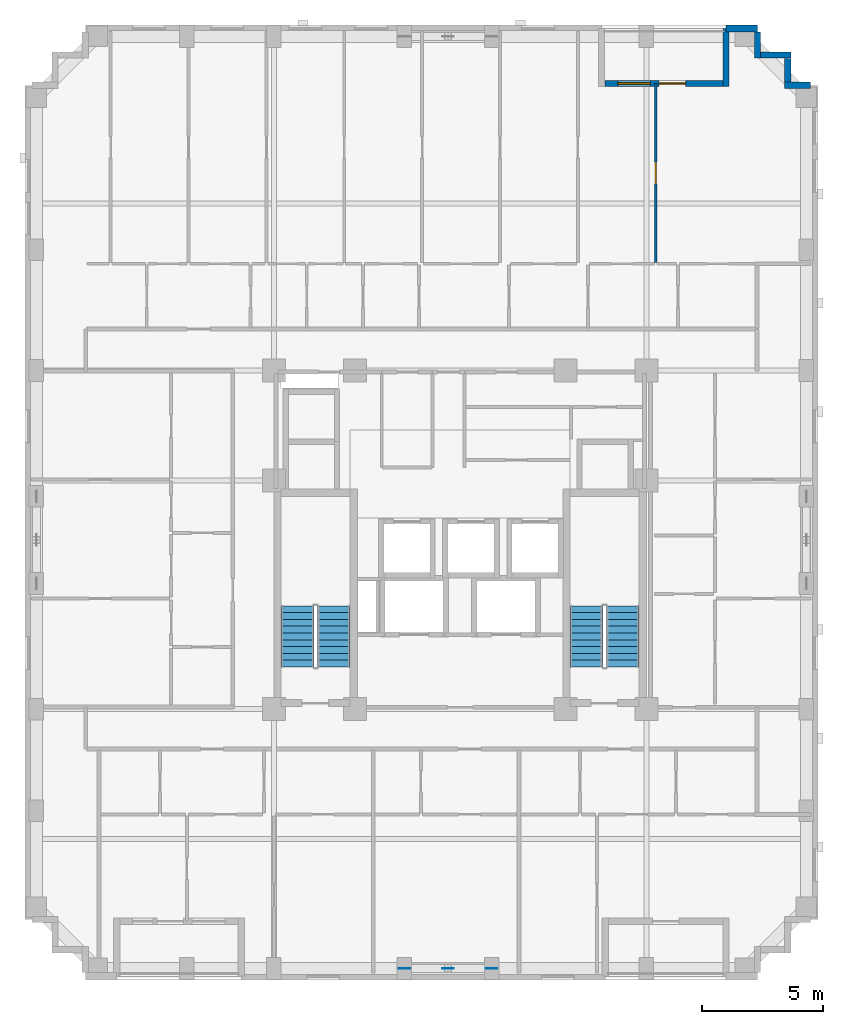
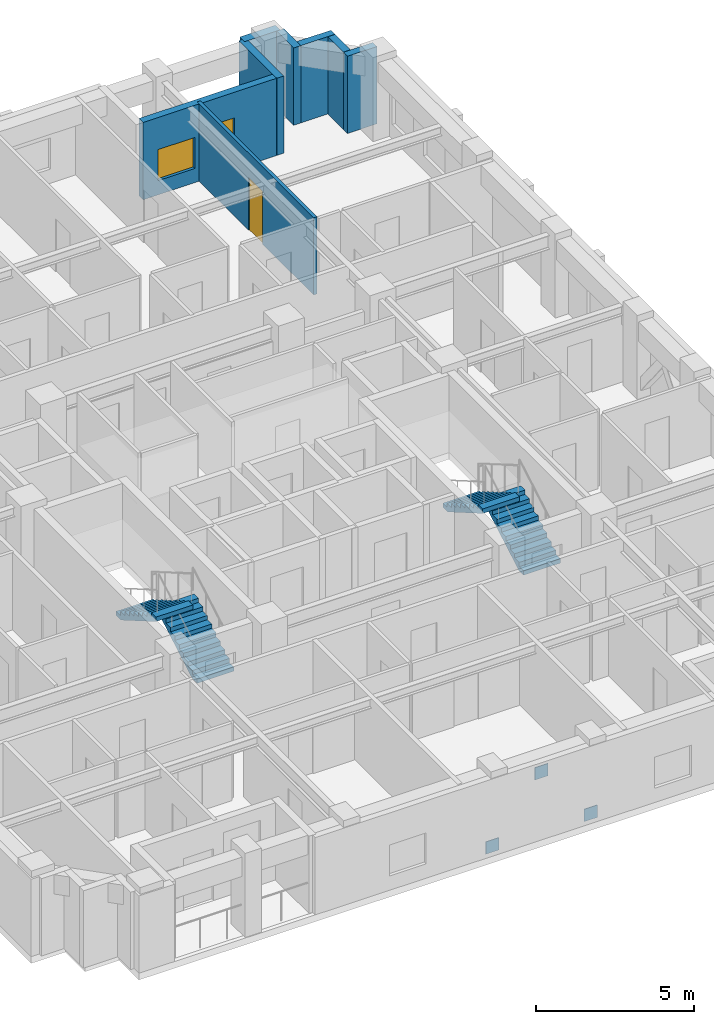
# One storey, part 8 of 11: 8 walls, 4 stair flights, 3 discrete accessories, 2 doors, 1 window, 3 openings, 2 elements without a shape of their own.
"""IFC4 building model written with IfcOpenShell, lengths in metres."""

from ifc_helpers import new_model, si_unit, derived_unit, direction, frame, frame_2d, origin, origin_2d, place, context, subcontext, project, spatial, polyline, rectangle, outline, extrude, material, layer, layer_set, type_object, element, fill, aggregate, save


model = new_model("IFC4")

# Units and contexts
model_context = context("Model", 3, precision=1e-05, world=origin(), true_north=direction((0.0, 1.0)))
body_context = subcontext(model_context, "Body", "Model", "MODEL_VIEW")
ifc_project = project(units=[si_unit("LENGTHUNIT", "METRE"), si_unit("AREAUNIT", "SQUARE_METRE"), si_unit("VOLUMEUNIT", "CUBIC_METRE"), si_unit("PLANEANGLEUNIT", "RADIAN"), si_unit("MASSUNIT", "GRAM", prefix="KILO"), derived_unit("THERMALTRANSMITTANCEUNIT", [(si_unit("MASSUNIT", "GRAM", prefix="KILO"), 1), (si_unit("TIMEUNIT", "SECOND"), -3), (si_unit("THERMODYNAMICTEMPERATUREUNIT", "KELVIN"), -1)])], contexts=[model_context])

# Site, building, storey
site_placement = place(None, origin())
site = spatial("IfcSite", under=ifc_project, at=site_placement, CompositionType="ELEMENT")
building_placement = place(site_placement, origin())
building = spatial("IfcBuilding", under=site, at=building_placement, Name="Korrvale Station Residences", CompositionType="ELEMENT")
storey_placement = place(building_placement, frame((0.0, 0.0, 160.14990234375)))
storey = spatial("IfcBuildingStorey", under=building, at=storey_placement, Name="L46", CompositionType="ELEMENT", Elevation=160.14990234375)

# Wall, openings, door, window
ifc_material_1 = material(Name="Precast concrete C45/55", Category="concrete")
ifc_layer_1 = layer(ifc_material_1, 0.260009765625, Name="Precast concrete C45/55")
ifc_layer_set_1 = layer_set([ifc_layer_1], Name="Precast concrete C45/55")
wall_type_1 = type_object("IfcWallType", Name="WAL-EXT-LOG260", PredefinedType="SOLIDWALL", material=ifc_layer_set_1)
wall_1_placement = place(storey_placement, frame((31.48388671875, 40.8701171875, 0.0), z_axis=(0.0, 0.0, 1.0), x_axis=(1.0, 0.0, 0.0)))
wall_1 = element("IfcWall", 1, at=wall_1_placement, inside=storey, type_object=wall_type_1, Name="L46 Recessed Loggia Wall BAL-L46-N1-B", PredefinedType="SOLIDWALL", context=body_context, shape_type="SweptSolid", body=[
    extrude(rectangle(XDim=4.882080078125, YDim=0.260009765625, at=frame_2d((2.44091796875, 0.0))), origin(), (0.0, 0.0, 1.0), 2.989990234375),
])
opening_1_placement = place(wall_1_placement, frame((2.24609375, 0.0, 0.0)))
opening_1 = element("IfcOpeningElement", 2, at=opening_1_placement, cuts=wall_1, Name="Opening BD-01", PredefinedType="OPENING", context=body_context, shape_type="SweptSolid", body=[
    extrude(rectangle(XDim=1.10009765625, YDim=2.0, at=frame_2d((0.550048828125, 1.0))), frame((0.0, 0.14013671875, 0.0), z_axis=(0.0, -1.0, 0.0), x_axis=(1.0, 0.0, 0.0)), (0.0, 0.0, 1.0), 0.280029296875),
])
opening_2_placement = place(wall_1_placement, frame((0.535888671875, 0.0, 0.550048828125)))
opening_2 = element("IfcOpeningElement", 3, at=opening_2_placement, cuts=wall_1, Name="Opening W-10", PredefinedType="OPENING", context=body_context, shape_type="SweptSolid", body=[
    extrude(rectangle(XDim=1.35009765625, YDim=1.199951171875, at=frame_2d((0.675048828125, 0.60009765625))), frame((0.0, 0.14013671875, 0.0), z_axis=(0.0, -1.0, 0.0), x_axis=(1.0, 0.0, 0.0)), (0.0, 0.0, 1.0), 0.280029296875),
])
ifc_material_2 = material(Name="Exterior thermally broken aluminium glazed balcony door", Category="aluminium")
door_type_1 = type_object("IfcDoorType", Name="DR-EXT-BAL", OperationType="NOTDEFINED", PredefinedType="DOOR", material=ifc_material_2)
door_1_placement = place(opening_1_placement, origin())
door_1 = element("IfcDoor", 4, at=door_1_placement, inside=storey, type_object=door_type_1, Name="L46 Loggia Balcony Door BAL-L46-N1", OperationType="SINGLE_SWING_LEFT", OverallHeight=2.0, OverallWidth=1.10009765625, PredefinedType="DOOR", context=body_context, shape_type="SweptSolid", body=[
    extrude(rectangle(XDim=1.10009765625, YDim=2.0, at=frame_2d((0.550048828125, 1.0))), frame((0.0, 0.02490234375, 0.0), z_axis=(0.0, -1.0, 0.0), x_axis=(1.0, 0.0, 0.0)), (0.0, 0.0, 1.0), 0.050048828125),
])
fill(opening_1, door_1)
ifc_material_3 = material(Name="Thermally broken aluminium frame with triple low-e glazing", Category="aluminium")
window_type = type_object("IfcWindowType", Name="WIN-W10", PartitioningType="SINGLE_PANEL", PredefinedType="WINDOW", material=ifc_material_3)
window_placement = place(opening_2_placement, origin())
window = element("IfcWindow", 5, at=window_placement, inside=storey, type_object=window_type, Name="L46 Punched Window 13", OverallHeight=1.199951171875, OverallWidth=1.35009765625, PartitioningType="SINGLE_PANEL", PredefinedType="WINDOW", context=body_context, shape_type="SweptSolid", body=[
    extrude(rectangle(XDim=1.35009765625, YDim=1.199951171875, at=frame_2d((0.675048828125, 0.60009765625))), frame((0.0, 0.030029296875, 0.0), z_axis=(0.0, -1.0, 0.0), x_axis=(1.0, 0.0, 0.0)), (0.0, 0.0, 1.0), 0.06005859375),
])
fill(opening_2, window)

# Walls
wall_2_placement = place(storey_placement, frame((36.5, 40.739990234375, 0.0), z_axis=(0.0, 0.0, 1.0), x_axis=(0.0, 1.0, 0.0)))
element("IfcWall", 6, at=wall_2_placement, inside=storey, type_object=wall_type_1, Name="L46 Recessed Loggia Wall BAL-L46-N1-R", PredefinedType="SOLIDWALL", context=body_context, shape_type="SweptSolid", body=[
    extrude(rectangle(XDim=2.39990234375, YDim=0.260009765625, at=frame_2d((1.199951171875, 0.0))), origin(), (0.0, 0.0, 1.0), 2.989990234375),
])
wall_3_placement = place(storey_placement, frame((37.800048828125, 42.998046875, 0.0), z_axis=(0.0, 0.0, 1.0), x_axis=(0.0, -1.0, 0.0)))
element("IfcWall", 7, at=wall_3_placement, inside=storey, type_object=wall_type_1, Name="L46 Serrated Corner Precast Step NE-1", PredefinedType="SOLIDWALL", context=body_context, shape_type="SweptSolid", body=[
    extrude(rectangle(XDim=1.078125, YDim=0.260009765625, at=frame_2d((0.5390625, 0.0))), origin(), (0.0, 0.0, 1.0), 2.989990234375),
])
wall_4_placement = place(storey_placement, frame((37.931884765625, 42.050048828125, 0.0), z_axis=(0.0, 0.0, 1.0), x_axis=(1.0, 0.0, 0.0)))
element("IfcWall", 8, at=wall_4_placement, inside=storey, type_object=wall_type_1, Name="L46 Serrated Corner Precast Step NE-2", PredefinedType="SOLIDWALL", context=body_context, shape_type="SweptSolid", body=[
    extrude(rectangle(XDim=1.248046875, YDim=0.260009765625, at=frame_2d((0.6240234375, 0.0))), origin(), (0.0, 0.0, 1.0), 2.989990234375),
])
wall_5_placement = place(storey_placement, frame((39.050048828125, 41.91796875, 0.0), z_axis=(0.0, 0.0, 1.0), x_axis=(0.0, -1.0, 0.0)))
element("IfcWall", 9, at=wall_5_placement, inside=storey, type_object=wall_type_1, Name="L46 Serrated Corner Precast Step NE-3", PredefinedType="SOLIDWALL", context=body_context, shape_type="SweptSolid", body=[
    extrude(rectangle(XDim=0.986083984375, YDim=0.260009765625, at=frame_2d((0.4931640625, 0.0))), origin(), (0.0, 0.0, 1.0), 2.989990234375),
])
wall_6_placement = place(storey_placement, frame((38.919921875, 40.800048828125, 0.0), z_axis=(0.0, 0.0, 1.0), x_axis=(1.0, 0.0, 0.0)))
element("IfcWall", 10, at=wall_6_placement, inside=storey, type_object=wall_type_1, Name="L46 Serrated Corner Precast Step NE-4", PredefinedType="SOLIDWALL", context=body_context, shape_type="SweptSolid", body=[
    extrude(rectangle(XDim=1.078125, YDim=0.260009765625, at=frame_2d((0.5390625, 0.0))), origin(), (0.0, 0.0, 1.0), 2.989990234375),
])
ifc_layer_2 = layer(ifc_material_1, 0.300048828125, Name="Precast concrete C45/55")
ifc_layer_set_2 = layer_set([ifc_layer_2], Name="Precast concrete C45/55")
wall_type_2 = type_object("IfcWallType", Name="WAL-EXT-PC300", PredefinedType="SOLIDWALL", material=ifc_layer_set_2)
wall_7_placement = place(storey_placement, frame((36.5, 43.14990234375, 0.0), z_axis=(0.0, 0.0, 1.0), x_axis=(1.0, 0.0, 0.0)))
element("IfcWall", 11, at=wall_7_placement, inside=storey, type_object=wall_type_2, Name="L46 North Exterior Precast Wall 2", PredefinedType="SOLIDWALL", context=body_context, shape_type="SweptSolid", body=[
    extrude(rectangle(XDim=1.300048828125, YDim=0.300048828125, at=frame_2d((0.64990234375, 0.0))), origin(), (0.0, 0.0, 1.0), 2.989990234375),
])

# Wall, opening, door
ifc_material_4 = material(Name="Acoustic steel-stud gypsum board partition", Category="steel")
ifc_layer_3 = layer(ifc_material_4, 0.1201171875, Name="Acoustic steel-stud gypsum board partition")
ifc_layer_set_3 = layer_set([ifc_layer_3], Name="Acoustic steel-stud gypsum board partition")
wall_type_3 = type_object("IfcWallType", Name="WAL-PART-125", PredefinedType="PARTITIONING", material=ifc_layer_set_3)
wall_8_placement = place(storey_placement, frame((33.590087890625, 33.47998046875, 0.0), z_axis=(0.0, 0.0, 1.0), x_axis=(0.0, 1.0, 0.0)))
wall_8 = element("IfcWall", 12, at=wall_8_placement, inside=storey, type_object=wall_type_3, Name="L46 Suite Partition U04-V1617", PredefinedType="PARTITIONING", context=body_context, shape_type="SweptSolid", body=[
    extrude(rectangle(XDim=7.39013671875, YDim=0.1201171875, at=frame_2d((3.695068359375, 0.0))), origin(), (0.0, 0.0, 1.0), 2.989990234375),
])
opening_3_placement = place(wall_8_placement, frame((3.2451171875, 0.0, 0.0)))
opening_3 = element("IfcOpeningElement", 13, at=opening_3_placement, cuts=wall_8, Name="Opening DI-900", PredefinedType="OPENING", context=body_context, shape_type="SweptSolid", body=[
    extrude(rectangle(XDim=0.89990234375, YDim=2.050048828125, at=frame_2d((0.449951171875, 1.02490234375))), frame((0.0, 0.070068359375, 0.0), z_axis=(0.0, -1.0, 0.0), x_axis=(1.0, 0.0, 0.0)), (0.0, 0.0, 1.0), 0.14013671875),
])
ifc_material_5 = material(Name="Painted solid-core timber interior room door", Category="wood")
door_type_2 = type_object("IfcDoorType", Name="DR-INT-900", OperationType="NOTDEFINED", PredefinedType="DOOR", material=ifc_material_5)
door_2_placement = place(opening_3_placement, origin())
door_2 = element("IfcDoor", 14, at=door_2_placement, inside=storey, type_object=door_type_2, Name="L46 Studio Apartment L46-U04 Formal Dining Room Door", OperationType="SINGLE_SWING_RIGHT", OverallHeight=2.050048828125, OverallWidth=0.89990234375, PredefinedType="DOOR", context=body_context, shape_type="SweptSolid", body=[
    extrude(rectangle(XDim=0.89990234375, YDim=2.050048828125, at=frame_2d((0.449951171875, 1.02490234375))), frame((0.0, 0.02490234375, 0.0), z_axis=(0.0, -1.0, 0.0), x_axis=(1.0, 0.0, 0.0)), (0.0, 0.0, 1.0), 0.050048828125),
])
fill(opening_3, door_2)

# Stair, stair flights
ifc_material_6 = material(Name="Concrete C50/60", Category="concrete")
stair_type = type_object("IfcStairType", Name="STR-DL-1350-20R-1625", PredefinedType="HALF_TURN_STAIR", material=ifc_material_6)
stair_1_placement = place(storey_placement, origin())
stair_1 = element("IfcStair", 15, at=stair_1_placement, inside=storey, type_object=stair_type, Name="L46 Exit Stair 1", PredefinedType="HALF_TURN_STAIR")
stair_flight_type = type_object("IfcStairFlightType", Name="FLT-DL-1350-20R-1625", PredefinedType="STRAIGHT", material=ifc_material_6)
stair_flight_1_placement = place(storey_placement, frame((20.27490234375, 16.75, 0.0), z_axis=(0.0, 0.0, 1.0), x_axis=(0.0, 1.0, 0.0)))
stair_flight_1 = element("IfcStairFlight", 16, at=stair_flight_1_placement, type_object=stair_flight_type, Name="ST-1 flight 1", NumberOfRisers=10, NumberOfTreads=9, PredefinedType="STRAIGHT", RiserHeight=0.1625, TreadLength=0.28, context=body_context, shape_type="SweptSolid", body=[
    extrude(outline(polyline([(0.0, 0.0), (0.0, 0.16259765625), (0.280029296875, 0.16259765625), (0.280029296875, 0.324951171875), (0.56005859375, 0.324951171875), (0.56005859375, 0.487548828125), (0.840087890625, 0.487548828125), (0.840087890625, 0.64990234375), (1.1201171875, 0.64990234375), (1.1201171875, 0.8125), (1.39990234375, 0.8125), (1.39990234375, 0.97509765625), (1.679931640625, 0.97509765625), (1.679931640625, 1.137451171875), (1.9599609375, 1.137451171875), (1.9599609375, 1.300048828125), (2.239990234375, 1.300048828125), (2.239990234375, 1.46240234375), (2.52001953125, 1.46240234375), (2.52001953125, 1.625), (2.52001953125, 1.2890625), (0.298583984375, 0.0), (0.0, 0.0)])), frame((0.0, 0.675048828125, 0.0), z_axis=(0.0, -1.0, 0.0), x_axis=(1.0, 0.0, 0.0)), (0.0, 0.0, 1.0), 1.35009765625),
])
stair_flight_2_placement = place(storey_placement, frame((18.77490234375, 19.27001953125, 1.625), z_axis=(0.0, 0.0, 1.0), x_axis=(0.0, -1.0, 0.0)))
stair_flight_2 = element("IfcStairFlight", 17, at=stair_flight_2_placement, type_object=stair_flight_type, Name="ST-1 flight 2", NumberOfRisers=10, NumberOfTreads=9, PredefinedType="STRAIGHT", RiserHeight=0.1625, TreadLength=0.28, context=body_context, shape_type="SweptSolid", body=[
    extrude(outline(polyline([(0.0, 0.0), (0.0, 0.16259765625), (0.280029296875, 0.16259765625), (0.280029296875, 0.324951171875), (0.56005859375, 0.324951171875), (0.56005859375, 0.487548828125), (0.840087890625, 0.487548828125), (0.840087890625, 0.64990234375), (1.1201171875, 0.64990234375), (1.1201171875, 0.8125), (1.39990234375, 0.8125), (1.39990234375, 0.97509765625), (1.679931640625, 0.97509765625), (1.679931640625, 1.137451171875), (1.9599609375, 1.137451171875), (1.9599609375, 1.300048828125), (2.239990234375, 1.300048828125), (2.239990234375, 1.46240234375), (2.52001953125, 1.46240234375), (2.52001953125, 1.625), (2.52001953125, 1.2890625), (0.298583984375, 0.0), (0.0, 0.0)])), frame((0.0, 0.675048828125, 0.0), z_axis=(0.0, -1.0, 0.0), x_axis=(1.0, 0.0, 0.0)), (0.0, 0.0, 1.0), 1.35009765625),
])
aggregate(stair_1, [stair_flight_1, stair_flight_2])

stair_2_placement = place(storey_placement, origin())
stair_2 = element("IfcStair", 18, at=stair_2_placement, inside=storey, type_object=stair_type, Name="L46 Exit Stair 2", PredefinedType="HALF_TURN_STAIR")
stair_flight_3_placement = place(storey_placement, frame((32.22509765625, 16.75, 0.0), z_axis=(0.0, 0.0, 1.0), x_axis=(0.0, 1.0, 0.0)))
stair_flight_3 = element("IfcStairFlight", 19, at=stair_flight_3_placement, type_object=stair_flight_type, Name="ST-2 flight 1", NumberOfRisers=10, NumberOfTreads=9, PredefinedType="STRAIGHT", RiserHeight=0.1625, TreadLength=0.28, context=body_context, shape_type="SweptSolid", body=[
    extrude(outline(polyline([(0.0, 0.0), (0.0, 0.16259765625), (0.280029296875, 0.16259765625), (0.280029296875, 0.324951171875), (0.56005859375, 0.324951171875), (0.56005859375, 0.487548828125), (0.840087890625, 0.487548828125), (0.840087890625, 0.64990234375), (1.1201171875, 0.64990234375), (1.1201171875, 0.8125), (1.39990234375, 0.8125), (1.39990234375, 0.97509765625), (1.679931640625, 0.97509765625), (1.679931640625, 1.137451171875), (1.9599609375, 1.137451171875), (1.9599609375, 1.300048828125), (2.239990234375, 1.300048828125), (2.239990234375, 1.46240234375), (2.52001953125, 1.46240234375), (2.52001953125, 1.625), (2.52001953125, 1.2890625), (0.298583984375, 0.0), (0.0, 0.0)])), frame((0.0, 0.675048828125, 0.0), z_axis=(0.0, -1.0, 0.0), x_axis=(1.0, 0.0, 0.0)), (0.0, 0.0, 1.0), 1.35009765625),
])
stair_flight_4_placement = place(storey_placement, frame((30.72509765625, 19.27001953125, 1.625), z_axis=(0.0, 0.0, 1.0), x_axis=(0.0, -1.0, 0.0)))
stair_flight_4 = element("IfcStairFlight", 20, at=stair_flight_4_placement, type_object=stair_flight_type, Name="ST-2 flight 2", NumberOfRisers=10, NumberOfTreads=9, PredefinedType="STRAIGHT", RiserHeight=0.1625, TreadLength=0.28, context=body_context, shape_type="SweptSolid", body=[
    extrude(outline(polyline([(0.0, 0.0), (0.0, 0.16259765625), (0.280029296875, 0.16259765625), (0.280029296875, 0.324951171875), (0.56005859375, 0.324951171875), (0.56005859375, 0.487548828125), (0.840087890625, 0.487548828125), (0.840087890625, 0.64990234375), (1.1201171875, 0.64990234375), (1.1201171875, 0.8125), (1.39990234375, 0.8125), (1.39990234375, 0.97509765625), (1.679931640625, 0.97509765625), (1.679931640625, 1.137451171875), (1.9599609375, 1.137451171875), (1.9599609375, 1.300048828125), (2.239990234375, 1.300048828125), (2.239990234375, 1.46240234375), (2.52001953125, 1.46240234375), (2.52001953125, 1.625), (2.52001953125, 1.2890625), (0.298583984375, 0.0), (0.0, 0.0)])), frame((0.0, 0.675048828125, 0.0), z_axis=(0.0, -1.0, 0.0), x_axis=(1.0, 0.0, 0.0)), (0.0, 0.0, 1.0), 1.35009765625),
])
aggregate(stair_2, [stair_flight_3, stair_flight_4])

# Discrete accessories
ifc_material_7 = material(Name="Steel S355", Category="steel")
ifc_layer_4 = layer(ifc_material_7, 0.02490234375, Name="Steel S355")
ifc_layer_set_4 = layer_set([ifc_layer_4], Name="Steel S355")
discrete_accessory_type = type_object("IfcDiscreteAccessoryType", Name="ACC-GUSSET-25", PredefinedType="BRACKET", material=ifc_layer_set_4)
for number, where, z_axis, x_axis, name in (
    (21, (23.199951171875, 4.280029296875, -0.219970703125), (0.0, 0.0, 1.0), (1.0, 0.0, 0.0), "L46 S Brace End Gusset Connection A"),
    (22, (26.800048828125, 4.280029296875, -0.219970703125), (0.0, 0.0, 1.0), (1.0, 0.0, 0.0), "L46 S Brace End Gusset Connection B"),
    (23, (25.0, 4.280029296875, 2.02001953125), (0.0, 0.0, 1.0), (1.0, 0.0, 0.0), "L46 S Brace End Gusset Connection M"),
):
    element("IfcDiscreteAccessory", number, at=place(storey_placement, frame(where, z_axis=z_axis, x_axis=x_axis)), inside=storey, type_object=discrete_accessory_type, Name=name, PredefinedType="BRACKET", context=body_context, shape_type="SweptSolid", body=[
        extrude(rectangle(XDim=0.47998046875, YDim=0.02490234375, at=origin_2d()), origin(), (0.0, 0.0, 1.0), 0.47998046875),
    ])

save(model, "model.ifc")
